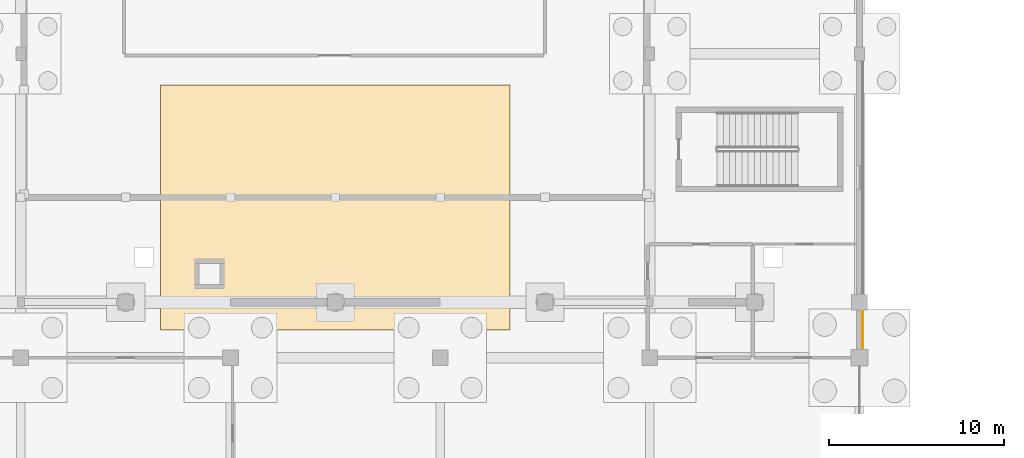
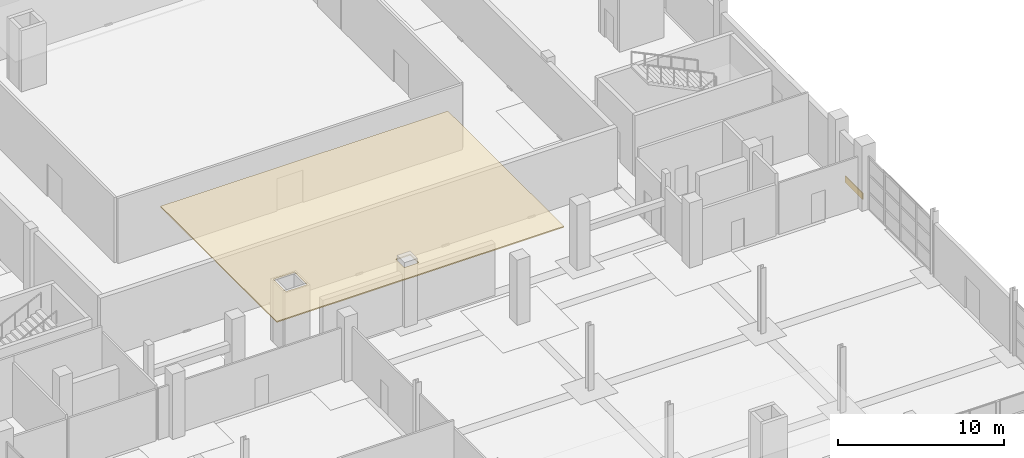
# One storey, part 72 of 82: 2 coverings.
"""IFC4 building model written with IfcOpenShell, lengths in metres."""

import ifcopenshell
import ifcopenshell.guid

model = None  # the IFC model being written
_history = None  # IfcOwnerHistory: only IFC2X3 demands one
_inside = {}  # id of a spatial element -> (the spatial element, [elements in it])
_under = {}  # id of a project, library or spatial element -> (it, [spatial elements below it])
_declared = {}  # id of a project -> (the project, [libraries it declares])
_typed = {}  # id of a type object -> (the type object, [elements of that type])
_made_of = {}  # id of a material, layer set ... -> (it, [elements and type objects made of it])


def new_model(schema):
    """Start an empty IFC model of exactly this schema.

    Asked for "IFC4X3", IfcOpenShell would pick the latest addendum, in which some entities
    have other attributes; the version numbers below select the first issue.
    IFC2X3 requires an IfcOwnerHistory on every rooted entity: one is made here for all.
    """
    global model, _history
    if schema == "IFC4X3":
        model = ifcopenshell.file(schema_version=(4, 3, 0, 0))
    else:
        model = ifcopenshell.file(schema=schema)
    _inside.clear()
    _under.clear()
    _declared.clear()
    _typed.clear()
    _made_of.clear()
    _history = None
    if model.schema == "IFC2X3":
        org = make("IfcOrganization", Name="unknown")
        user = make(
            "IfcPersonAndOrganization",
            ThePerson=make("IfcPerson", FamilyName="unknown"),
            TheOrganization=org,
        )
        app = make(
            "IfcApplication",
            ApplicationDeveloper=org,
            Version="unknown",
            ApplicationFullName="unknown",
            ApplicationIdentifier="unknown",
        )
        _history = make(
            "IfcOwnerHistory",
            OwningUser=user,
            OwningApplication=app,
            ChangeAction="ADDED",
            CreationDate=0,
        )
    return model


def make(cls, **values):
    """One entity of the class cls with the attributes given. An attribute that is None is left unset."""
    return model.create_entity(
        cls, **{name: value for name, value in values.items() if value is not None}
    )


def rooted(cls, **values):
    """An entity with a GlobalId (a new one), such as an element, a storey or a relation."""
    return make(cls, GlobalId=ifcopenshell.guid.new(), OwnerHistory=_history, **values)


def si_unit(unit_type, name, prefix=None):
    """IfcSIUnit, for example si_unit("LENGTHUNIT", "METRE", prefix="MILLI")."""
    return make("IfcSIUnit", UnitType=unit_type, Prefix=prefix, Name=name)


def assignment(units):
    """IfcUnitAssignment: the units of a project."""
    return None if units is None else make("IfcUnitAssignment", Units=units)


def point(xyz):
    """IfcCartesianPoint."""
    return None if xyz is None else make("IfcCartesianPoint", Coordinates=xyz)


def direction(xyz):
    """IfcDirection."""
    return None if xyz is None else make("IfcDirection", DirectionRatios=xyz)


def frame(location, z_axis=None, x_axis=None):
    """IfcAxis2Placement3D, a coordinate frame: its origin and axes. An axis left out is left unset."""
    return make(
        "IfcAxis2Placement3D",
        Location=point(location),
        Axis=direction(z_axis),
        RefDirection=direction(x_axis),
    )


def frame_2d(location, x_axis=None):
    """IfcAxis2Placement2D, a coordinate frame in the plane: its origin and x axis."""
    return make(
        "IfcAxis2Placement2D", Location=point(location), RefDirection=direction(x_axis)
    )


def origin():
    """The frame at (0, 0, 0) with its axes left unset."""
    return frame((0.0, 0.0, 0.0))


def origin_2d():
    """The frame at (0, 0) in the plane with its x axis left unset."""
    return frame_2d((0.0, 0.0))


def place(relative_to, where):
    """IfcLocalPlacement: puts the frame where relative to a parent placement (None: the world)."""
    return make(
        "IfcLocalPlacement", PlacementRelTo=relative_to, RelativePlacement=where
    )


def context(
    kind, dimensions, precision=None, world=None, true_north=None, identifier=None
):
    """IfcGeometricRepresentationContext, for example the 3D "Model" context."""
    return make(
        "IfcGeometricRepresentationContext",
        ContextIdentifier=identifier,
        ContextType=kind,
        CoordinateSpaceDimension=dimensions,
        Precision=precision,
        WorldCoordinateSystem=world,
        TrueNorth=true_north,
    )


def subcontext(parent, identifier, kind, view, scale=None):
    """IfcGeometricRepresentationSubContext, for example "Body" below "Model"."""
    return make(
        "IfcGeometricRepresentationSubContext",
        ContextIdentifier=identifier,
        ContextType=kind,
        ParentContext=parent,
        TargetScale=scale,
        TargetView=view,
    )


def project(units=None, contexts=None):
    """IfcProject with its units and contexts."""
    return rooted(
        "IfcProject",
        Name="project",
        RepresentationContexts=contexts,
        UnitsInContext=assignment(units),
    )


def spatial(cls, under=None, at=None, **own):
    """A site, building, storey or space (cls), placed at a placement, below another one or the project."""
    s = rooted(cls, ObjectPlacement=at, **own)
    if under is not None:
        _under.setdefault(under.id(), (under, []))[1].append(s)
    return s


def polyline(points):
    """IfcPolyline through the points."""
    return make("IfcPolyline", Points=[point(p) for p in points])


def profile(cls, at=None, kind="AREA", **sizes):
    """A parametric profile (cls). Its sizes go by their IFC names, for example OverallWidth=200.0."""
    return make(cls, ProfileType=kind, Position=at, **sizes)


def rectangle(**sizes):
    """IfcRectangleProfileDef."""
    return profile("IfcRectangleProfileDef", **sizes)


def outline(outer, holes=None, kind="AREA"):
    """IfcArbitraryClosedProfileDef: a profile drawn as a closed curve; with holes, ...WithVoids."""
    if holes is None:
        return make("IfcArbitraryClosedProfileDef", ProfileType=kind, OuterCurve=outer)
    return make(
        "IfcArbitraryProfileDefWithVoids",
        ProfileType=kind,
        OuterCurve=outer,
        InnerCurves=holes,
    )


def extrude(swept, where, along, depth):
    """IfcExtrudedAreaSolid: the profile swept, set in the frame where, extruded along a direction by depth."""
    return make(
        "IfcExtrudedAreaSolid",
        SweptArea=swept,
        Position=where,
        ExtrudedDirection=direction(along),
        Depth=depth,
    )


def shape(context_of_items, identifier, shape_type, items):
    """IfcShapeRepresentation: the items that make up one representation, for example the "Body"."""
    return make(
        "IfcShapeRepresentation",
        ContextOfItems=context_of_items,
        RepresentationIdentifier=identifier,
        RepresentationType=shape_type,
        Items=items,
    )


def material(Name=None, Category=None):
    """IfcMaterial."""
    return make("IfcMaterial", Name=Name, Category=Category)


def layer(
    of_material, thickness, ventilated=None, Name=None, Category=None, Priority=None
):
    """IfcMaterialLayer: one layer of a wall or slab, of a material (None: an air gap)."""
    return make(
        "IfcMaterialLayer",
        Material=of_material,
        LayerThickness=thickness,
        IsVentilated=ventilated,
        Name=Name,
        Category=Category,
        Priority=Priority,
    )


def layer_set(layers, Name=None):
    """IfcMaterialLayerSet."""
    return make("IfcMaterialLayerSet", MaterialLayers=layers, LayerSetName=Name)


def made_of(thing, what):
    """Note that an element or type object is made of a material, layer set ...; save() writes the relation."""
    if what is not None:
        _made_of.setdefault(what.id(), (what, []))[1].append(thing)
    return thing


def type_object(cls, material=None, **own):
    """A type object (cls), such as IfcWallType, which elements share."""
    return made_of(rooted(cls, **own), material)


def element(
    cls,
    number,
    at=None,
    inside=None,
    cuts=None,
    type_object=None,
    material=None,
    context=None,
    identifier="Body",
    shape_type=None,
    held_by="IfcProductDefinitionShape",
    body=None,
    shapes=None,
    **own,
):
    """One element of the class cls, such as IfcWall. Its Tag is "e" and its number.

    at: its placement. inside: the storey or other place that contains it. cuts: it is an
    opening in that element (IfcRelVoidsElement). A single representation is given by context,
    identifier, shape_type and body (its items); several are given by shapes. held_by: the class
    of the entity that holds the representations. save() writes the other relations.
    """
    e = rooted(cls, Tag="e%d" % number, ObjectPlacement=at, **own)
    if body is not None:
        shapes = [shape(context, identifier, shape_type, body)]
    if shapes is not None:
        e.Representation = make(held_by, Representations=shapes)
    if inside is not None:
        _inside.setdefault(inside.id(), (inside, []))[1].append(e)
    if cuts is not None:
        rooted(
            "IfcRelVoidsElement", RelatingBuildingElement=cuts, RelatedOpeningElement=e
        )
    if type_object is not None:
        _typed.setdefault(type_object.id(), (type_object, []))[1].append(e)
    return made_of(e, material)


def aggregate(whole, parts):
    """IfcRelAggregates: a whole, such as a stair, and the parts it consists of."""
    return rooted("IfcRelAggregates", RelatingObject=whole, RelatedObjects=parts)


def save(model, path):
    """Write the relations noted so far, then the file.

    IfcRelAggregates (storeys below a building ...), IfcRelContainedInSpatialStructure (elements
    in a storey), IfcRelDefinesByType, IfcRelAssociatesMaterial and IfcRelDeclares: one each for
    every whole, place, type object, material and project.
    """
    for whole, parts in _under.values():
        aggregate(whole, parts)
    for where, things in _inside.values():
        rooted(
            "IfcRelContainedInSpatialStructure",
            RelatedElements=things,
            RelatingStructure=where,
        )
    for kind, things in _typed.values():
        rooted("IfcRelDefinesByType", RelatedObjects=things, RelatingType=kind)
    for what, things in _made_of.values():
        rooted("IfcRelAssociatesMaterial", RelatedObjects=things, RelatingMaterial=what)
    for by, libraries in _declared.values():
        rooted("IfcRelDeclares", RelatingContext=by, RelatedDefinitions=libraries)
    model.write(path)


model = new_model("IFC4")

# Units and contexts
model_context = context("Model", 3, precision=1e-05, world=origin(), true_north=direction((0.0, 1.0)))
body_context = subcontext(model_context, "Body", "Model", "MODEL_VIEW")
ifc_project = project(units=[si_unit("LENGTHUNIT", "METRE"), si_unit("AREAUNIT", "SQUARE_METRE"), si_unit("VOLUMEUNIT", "CUBIC_METRE"), si_unit("PLANEANGLEUNIT", "RADIAN"), si_unit("MASSUNIT", "GRAM", prefix="KILO")], contexts=[model_context])

# Site, building, storey
site_placement = place(None, origin())
site = spatial("IfcSite", under=ifc_project, at=site_placement, CompositionType="ELEMENT")
building_placement = place(site_placement, origin())
building = spatial("IfcBuilding", under=site, at=building_placement, Name="Kelmvaro Bay Concert Hall", CompositionType="ELEMENT")
storey_placement = place(building_placement, origin())
storey = spatial("IfcBuildingStorey", under=building, at=storey_placement, Name="L00", CompositionType="ELEMENT", Elevation=0.0)

# Coverings
ifc_material_1 = material(Name="Curved Laminated Rock Maple Acoustic Panel")
ifc_layer_1 = layer(ifc_material_1, 0.0849609375)
ifc_layer_set_1 = layer_set([ifc_layer_1], Name="Curved Laminated Rock Maple Acoustic Panel")
covering_type_1 = type_object("IfcCoveringType", Name="Curved Maple Acoustic Reflector Cloud Ceiling 85", PredefinedType="CEILING", material=ifc_layer_set_1)
covering_1_placement = place(storey_placement, frame((0.0, 0.0, 4.4150390625)))
element("IfcCovering", 1, at=covering_1_placement, inside=storey, type_object=covering_type_1, Name="L00 Acoustic Ceiling 01", PredefinedType="CEILING", context=body_context, shape_type="SweptSolid", body=[
    extrude(outline(polyline([(20.0, 81.0), (40.0, 81.0), (40.0, 67.0), (20.0, 67.0), (20.0, 81.0)]), holes=[polyline([(29.489990234375, 69.090087890625), (29.489990234375, 68.070068359375), (30.510009765625, 68.070068359375), (30.510009765625, 69.090087890625), (29.489990234375, 69.090087890625)]), polyline([(23.550048828125, 70.949951171875), (22.050048828125, 70.949951171875), (22.050048828125, 69.449951171875), (23.550048828125, 69.449951171875), (23.550048828125, 70.949951171875)])]), origin(), (0.0, 0.0, 1.0), 0.0849609375),
])
ifc_material_2 = material(Name="Honed Florida Limestone Travertine", Category="masonry")
ifc_layer_2 = layer(ifc_material_2, 0.054931640625)
ifc_layer_set_2 = layer_set([ifc_layer_2], Name="Honed Florida Limestone Travertine")
covering_type_2 = type_object("IfcCoveringType", Name="Honed Florida Travertine Rainscreen Cladding 55", PredefinedType="CLADDING", material=ifc_layer_set_2)
covering_2_placement = place(storey_placement, frame((60.195556640625, 67.00244140625, 0.0400390625), z_axis=(0.0, 0.0, 1.0), x_axis=(0.0, -1.0, 0.0)))
element("IfcCovering", 2, at=covering_2_placement, inside=storey, type_object=covering_type_2, Name="L00 Travertine Sill Band 0018", PredefinedType="CLADDING", context=body_context, shape_type="SweptSolid", body=[
    extrude(rectangle(XDim=2.135009765625, YDim=0.054931640625, at=origin_2d()), origin(), (0.0, 0.0, 1.0), 0.4599609375),
])

save(model, "model.ifc")
